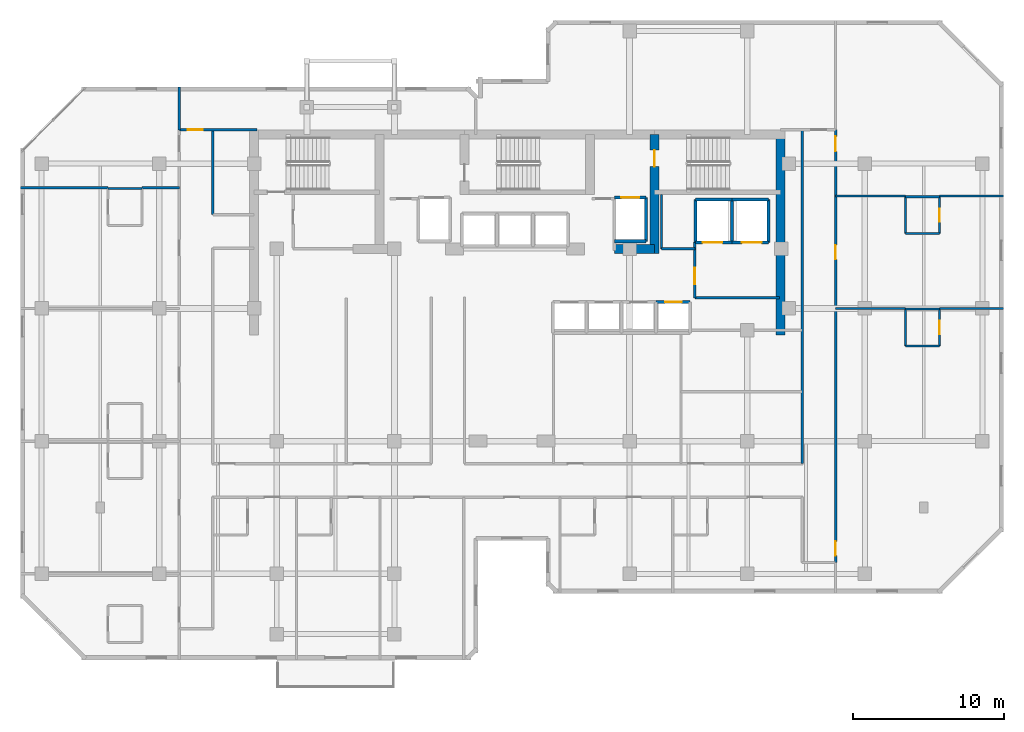
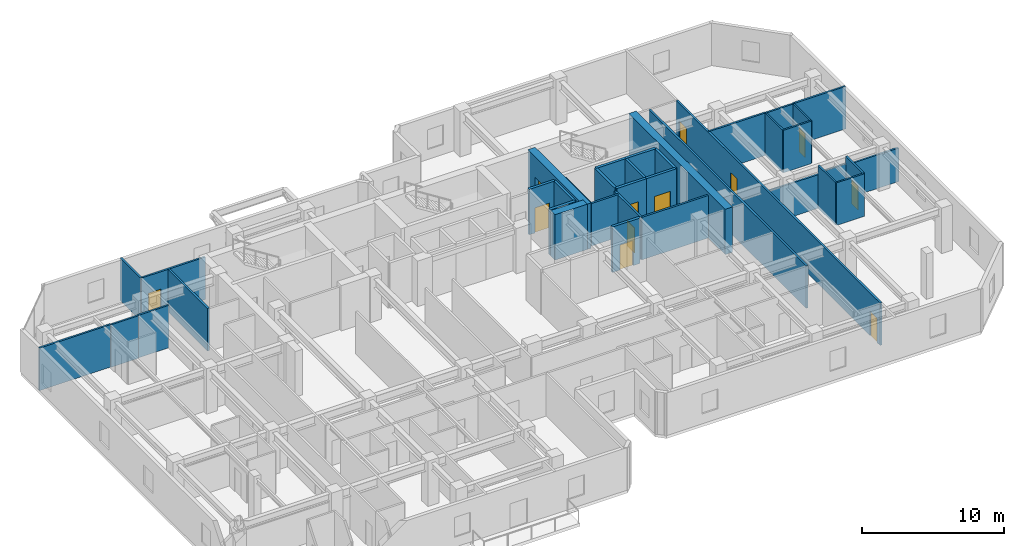
# One storey, part 7 of 11: 38 walls, 12 doors, 12 openings.
"""IFC4 building model written with IfcOpenShell, lengths in metres."""

from ifc_helpers import new_model, si_unit, direction, frame, frame_2d, origin, place, context, subcontext, project, spatial, rectangle, extrude, material, layer, layer_set, type_object, element, fill, save


model = new_model("IFC4")

# Units and contexts
model_context = context("Model", 3, precision=1e-05, world=origin(), true_north=direction((0.0, 1.0)))
body_context = subcontext(model_context, "Body", "Model", "MODEL_VIEW")
ifc_project = project(units=[si_unit("LENGTHUNIT", "METRE"), si_unit("AREAUNIT", "SQUARE_METRE"), si_unit("VOLUMEUNIT", "CUBIC_METRE"), si_unit("PLANEANGLEUNIT", "RADIAN"), si_unit("MASSUNIT", "GRAM", prefix="KILO")], contexts=[model_context])

# Site, building, storey
site_placement = place(None, origin())
site = spatial("IfcSite", under=ifc_project, at=site_placement, CompositionType="ELEMENT")
building_placement = place(site_placement, origin())
building = spatial("IfcBuilding", under=site, at=building_placement, Name="Kestravale Grand Hotel", CompositionType="ELEMENT")
storey_placement = place(building_placement, frame((0.0, 0.0, 208.5)))
storey = spatial("IfcBuildingStorey", under=building, at=storey_placement, Name="L52", CompositionType="ELEMENT", Elevation=208.5)

# Walls
ifc_material_1 = material(Name="Concrete f'c 50 MPa", Category="concrete")
ifc_layer_1 = layer(ifc_material_1, 0.60009765625)
ifc_layer_set_1 = layer_set([ifc_layer_1], Name="EW-CORE-600")
wall_type_1 = type_object("IfcWallType", Name="EW-CORE-600", PredefinedType="SHEAR", material=ifc_layer_set_1)
wall_1_placement = place(storey_placement, frame((56.820068359375, 27.050048828125, 0.0), z_axis=(0.0, 0.0, 1.0), x_axis=(0.0, 1.0, 0.0)))
element("IfcWall", 1, at=wall_1_placement, inside=storey, type_object=wall_type_1, Name="L52 core shear wall E1", PredefinedType="SHEAR", context=body_context, shape_type="SweptSolid", body=[
    extrude(rectangle(XDim=13.570068359375, YDim=0.60009765625, at=frame_2d((6.78515625, 0.0))), origin(), (0.0, 0.0, 1.0), 3.89990234375),
])
wall_2_placement = place(storey_placement, frame((45.81005859375, 32.75, 0.0), z_axis=(0.0, 0.0, 1.0), x_axis=(1.0, 0.0, 0.0)))
element("IfcWall", 2, at=wall_2_placement, inside=storey, type_object=wall_type_1, Name="L52 core shear wall S2", PredefinedType="SHEAR", context=body_context, shape_type="SweptSolid", body=[
    extrude(rectangle(XDim=2.639892578125, YDim=0.60009765625, at=frame_2d((1.31982421875, 0.0))), origin(), (0.0, 0.0, 1.0), 3.89990234375),
])

# Wall, opening, door
wall_3_placement = place(storey_placement, frame((48.449951171875, 32.449951171875, 0.0), z_axis=(0.0, 0.0, 1.0), x_axis=(0.0, 1.0, 0.0)))
wall_3 = element("IfcWall", 3, at=wall_3_placement, inside=storey, type_object=wall_type_1, Name="L52 core shear wall X4", PredefinedType="SHEAR", context=body_context, shape_type="SweptSolid", body=[
    extrude(rectangle(XDim=7.8701171875, YDim=0.60009765625, at=frame_2d((3.93505859375, 0.0))), origin(), (0.0, 0.0, 1.0), 3.89990234375),
])
opening_1_placement = place(wall_3_placement, frame((5.75, 0.0, 0.0)))
opening_1 = element("IfcOpeningElement", 4, at=opening_1_placement, cuts=wall_3, Name="Opening D-ST-1100", PredefinedType="OPENING", context=body_context, shape_type="SweptSolid", body=[
    extrude(rectangle(XDim=1.10009765625, YDim=2.14990234375, at=frame_2d((0.550048828125, 1.074951171875))), frame((0.0, 0.31005859375, 0.0), z_axis=(0.0, -1.0, 0.0), x_axis=(1.0, 0.0, 0.0)), (0.0, 0.0, 1.0), 0.6201171875),
])
ifc_material_2 = material(Name="Galvanised 90-minute fire-rated steel stair door", Category="steel")
door_type_1 = type_object("IfcDoorType", Name="D-ST-1100", OperationType="NOTDEFINED", PredefinedType="DOOR", material=ifc_material_2)
door_1_placement = place(opening_1_placement, origin())
door_1 = element("IfcDoor", 5, at=door_1_placement, inside=storey, type_object=door_type_1, Name="L52 Stair ST-3 FSAE fire door", OperationType="SINGLE_SWING_RIGHT", OverallHeight=2.14990234375, OverallWidth=1.10009765625, PredefinedType="DOOR", context=body_context, shape_type="SweptSolid", body=[
    extrude(rectangle(XDim=1.10009765625, YDim=2.14990234375, at=frame_2d((0.550048828125, 1.074951171875))), frame((0.0, 0.02490234375, 0.0), z_axis=(0.0, -1.0, 0.0), x_axis=(1.0, 0.0, 0.0)), (0.0, 0.0, 1.0), 0.050048828125),
])
fill(opening_1, door_1)

ifc_material_3 = material(Name="Acoustic fire-rated gypsum board partition", Category="other")
ifc_layer_2 = layer(ifc_material_3, 0.159912109375)
ifc_layer_set_2 = layer_set([ifc_layer_2], Name="IW-CORR-160")
wall_type_2 = type_object("IfcWallType", Name="IW-CORR-160", PredefinedType="PARTITIONING", material=ifc_layer_set_2)
wall_4_placement = place(storey_placement, frame((51.1201171875, 29.5, 0.0), z_axis=(0.0, 0.0, 1.0), x_axis=(0.0, 1.0, 0.0)))
wall_4 = element("IfcWall", 6, at=wall_4_placement, inside=storey, type_object=wall_type_2, Name="W-L52-SVCLOB-W", PredefinedType="PARTITIONING", context=body_context, shape_type="SweptSolid", body=[
    extrude(rectangle(XDim=3.699951171875, YDim=0.159912109375, at=frame_2d((1.85009765625, 0.0))), origin(), (0.0, 0.0, 1.0), 3.64990234375),
])
opening_2_placement = place(wall_4_placement, frame((0.89990234375, 0.0, 0.0)))
opening_2 = element("IfcOpeningElement", 7, at=opening_2_placement, cuts=wall_4, Name="Opening D-CORR-1100", PredefinedType="OPENING", context=body_context, shape_type="SweptSolid", body=[
    extrude(rectangle(XDim=1.10009765625, YDim=2.14990234375, at=frame_2d((0.550048828125, 1.074951171875))), frame((0.0, 0.08984375, 0.0), z_axis=(0.0, -1.0, 0.0), x_axis=(1.0, 0.0, 0.0)), (0.0, 0.0, 1.0), 0.179931640625),
])
ifc_material_4 = material(Name="Single-leaf service vestibule fire door", Category="steel")
door_type_2 = type_object("IfcDoorType", Name="D-CORR-1100", OperationType="NOTDEFINED", PredefinedType="DOOR", material=ifc_material_4)
door_2_placement = place(opening_2_placement, origin())
door_2 = element("IfcDoor", 8, at=door_2_placement, inside=storey, type_object=door_type_2, Name="L52 service lift lobby door", OperationType="SINGLE_SWING_LEFT", OverallHeight=2.14990234375, OverallWidth=1.10009765625, PredefinedType="DOOR", context=body_context, shape_type="SweptSolid", body=[
    extrude(rectangle(XDim=1.10009765625, YDim=2.14990234375, at=frame_2d((0.550048828125, 1.074951171875))), frame((0.0, 0.02490234375, 0.0), z_axis=(0.0, -1.0, 0.0), x_axis=(1.0, 0.0, 0.0)), (0.0, 0.0, 1.0), 0.050048828125),
])
fill(opening_2, door_2)

# Walls
wall_5_placement = place(storey_placement, frame((51.1201171875, 29.5, 0.0), z_axis=(0.0, 0.0, 1.0), x_axis=(1.0, 0.0, 0.0)))
element("IfcWall", 9, at=wall_5_placement, inside=storey, type_object=wall_type_2, Name="L52 service lift lobby wall", PredefinedType="PARTITIONING", context=body_context, shape_type="SweptSolid", body=[
    extrude(rectangle(XDim=5.6298828125, YDim=0.159912109375, at=frame_2d((2.81494140625, 0.0))), origin(), (0.0, 0.0, 1.0), 3.64990234375),
])
wall_6_placement = place(storey_placement, frame((48.919921875, 32.75, 0.0), z_axis=(0.0, 0.0, 1.0), x_axis=(1.0, 0.0, 0.0)))
element("IfcWall", 10, at=wall_6_placement, inside=storey, type_object=wall_type_2, Name="W-L52-CES", PredefinedType="PARTITIONING", context=body_context, shape_type="SweptSolid", body=[
    extrude(rectangle(XDim=2.2001953125, YDim=0.159912109375, at=frame_2d((1.10009765625, 0.0))), origin(), (0.0, 0.0, 1.0), 3.64990234375),
])
wall_7_placement = place(storey_placement, frame((19.159912109375, 35.02001953125, 0.0), z_axis=(0.0, 0.0, 1.0), x_axis=(0.0, 1.0, 0.0)))
element("IfcWall", 11, at=wall_7_placement, inside=storey, type_object=wall_type_2, Name="W-L52-SW-EN", PredefinedType="PARTITIONING", context=body_context, shape_type="SweptSolid", body=[
    extrude(rectangle(XDim=5.6298828125, YDim=0.159912109375, at=frame_2d((2.81494140625, 0.0))), origin(), (0.0, 0.0, 1.0), 3.64990234375),
])

# Wall, openings, doors
wall_8_placement = place(storey_placement, frame((60.4599609375, 11.949951171875, 0.0), z_axis=(0.0, 0.0, 1.0), x_axis=(0.0, 1.0, 0.0)))
wall_8 = element("IfcWall", 12, at=wall_8_placement, inside=storey, type_object=wall_type_2, Name="W-L52-SE-E", PredefinedType="PARTITIONING", context=body_context, shape_type="SweptSolid", body=[
    extrude(rectangle(XDim=28.699951171875, YDim=0.159912109375, at=frame_2d((14.35009765625, 0.0))), origin(), (0.0, 0.0, 1.0), 3.64990234375),
])
opening_3_placement = place(wall_8_placement, frame((0.4599609375, 0.0, 0.0)))
opening_3 = element("IfcOpeningElement", 13, at=opening_3_placement, cuts=wall_8, Name="Opening D-GUEST-950", PredefinedType="OPENING", context=body_context, shape_type="SweptSolid", body=[
    extrude(rectangle(XDim=0.949951171875, YDim=2.10009765625, at=frame_2d((0.47509765625, 1.050048828125))), frame((0.0, 0.08984375, 0.0), z_axis=(0.0, -1.0, 0.0), x_axis=(1.0, 0.0, 0.0)), (0.0, 0.0, 1.0), 0.179931640625),
])
opening_4_placement = place(wall_8_placement, frame((20.10009765625, 0.0, 0.0)))
opening_4 = element("IfcOpeningElement", 14, at=opening_4_placement, cuts=wall_8, Name="Opening D-GUEST-950", PredefinedType="OPENING", context=body_context, shape_type="SweptSolid", body=[
    extrude(rectangle(XDim=0.949951171875, YDim=2.10009765625, at=frame_2d((0.47509765625, 1.050048828125))), frame((0.0, 0.08984375, 0.0), z_axis=(0.0, -1.0, 0.0), x_axis=(1.0, 0.0, 0.0)), (0.0, 0.0, 1.0), 0.179931640625),
])
opening_5_placement = place(wall_8_placement, frame((27.260009765625, 0.0, 0.0)))
opening_5 = element("IfcOpeningElement", 15, at=opening_5_placement, cuts=wall_8, Name="Opening D-GUEST-1000", PredefinedType="OPENING", context=body_context, shape_type="SweptSolid", body=[
    extrude(rectangle(XDim=1.0, YDim=2.14990234375, at=frame_2d((0.5, 1.074951171875))), frame((0.0, 0.08984375, 0.0), z_axis=(0.0, -1.0, 0.0), x_axis=(1.0, 0.0, 0.0)), (0.0, 0.0, 1.0), 0.179931640625),
])
ifc_material_5 = material(Name="Accessible walnut veneer hotel entrance fire door", Category="wood")
door_type_3 = type_object("IfcDoorType", Name="D-GUEST-1000", OperationType="NOTDEFINED", PredefinedType="DOOR", material=ifc_material_5)
door_3_placement = place(opening_5_placement, origin())
door_3 = element("IfcDoor", 16, at=door_3_placement, inside=storey, type_object=door_type_3, Name="D-L52-AMEW", OperationType="SINGLE_SWING_LEFT", OverallHeight=2.14990234375, OverallWidth=1.0, PredefinedType="DOOR", context=body_context, shape_type="SweptSolid", body=[
    extrude(rectangle(XDim=1.0, YDim=2.14990234375, at=frame_2d((0.5, 1.074951171875))), frame((0.0, 0.02490234375, 0.0), z_axis=(0.0, -1.0, 0.0), x_axis=(1.0, 0.0, 0.0)), (0.0, 0.0, 1.0), 0.050048828125),
])
fill(opening_5, door_3)
ifc_material_6 = material(Name="Walnut veneer hotel guestroom entrance fire door", Category="wood")
door_type_4 = type_object("IfcDoorType", Name="D-GUEST-950", OperationType="NOTDEFINED", PredefinedType="DOOR", material=ifc_material_6)
door_4_placement = place(opening_3_placement, origin())
door_4 = element("IfcDoor", 17, at=door_4_placement, inside=storey, type_object=door_type_4, Name="D-L52-U09-ENT", OperationType="SINGLE_SWING_RIGHT", OverallHeight=2.10009765625, OverallWidth=0.949951171875, PredefinedType="DOOR", context=body_context, shape_type="SweptSolid", body=[
    extrude(rectangle(XDim=0.949951171875, YDim=2.10009765625, at=frame_2d((0.47509765625, 1.050048828125))), frame((0.0, 0.02490234375, 0.0), z_axis=(0.0, -1.0, 0.0), x_axis=(1.0, 0.0, 0.0)), (0.0, 0.0, 1.0), 0.050048828125),
])
fill(opening_3, door_4)
door_5_placement = place(opening_4_placement, origin())
door_5 = element("IfcDoor", 18, at=door_5_placement, inside=storey, type_object=door_type_4, Name="D-L52-U10-ENT", OperationType="SINGLE_SWING_RIGHT", OverallHeight=2.10009765625, OverallWidth=0.949951171875, PredefinedType="DOOR", context=body_context, shape_type="SweptSolid", body=[
    extrude(rectangle(XDim=0.949951171875, YDim=2.10009765625, at=frame_2d((0.47509765625, 1.050048828125))), frame((0.0, 0.02490234375, 0.0), z_axis=(0.0, -1.0, 0.0), x_axis=(1.0, 0.0, 0.0)), (0.0, 0.0, 1.0), 0.050048828125),
])
fill(opening_4, door_5)

# Walls
wall_9_placement = place(storey_placement, frame((58.239990234375, 18.510009765625, 0.0), z_axis=(0.0, 0.0, 1.0), x_axis=(0.0, 1.0, 0.0)))
element("IfcWall", 19, at=wall_9_placement, inside=storey, type_object=wall_type_2, Name="W-L52-SE-WU", PredefinedType="PARTITIONING", context=body_context, shape_type="SweptSolid", body=[
    extrude(rectangle(XDim=22.139892578125, YDim=0.159912109375, at=frame_2d((11.06982421875, 0.0))), origin(), (0.0, 0.0, 1.0), 3.64990234375),
])
ifc_material_7 = material(Name="Moisture-resistant tile-backer plumbing chase wall", Category="other")
ifc_layer_3 = layer(ifc_material_7, 0.139892578125)
ifc_layer_set_3 = layer_set([ifc_layer_3], Name="IW-PLB-140")
wall_type_3 = type_object("IfcWallType", Name="IW-PLB-140", PredefinedType="PLUMBINGWALL", material=ifc_layer_set_3)
wall_10_placement = place(storey_placement, frame((12.199951171875, 36.760009765625, 0.0), z_axis=(0.0, 0.0, 1.0), x_axis=(1.0, 0.0, 0.0)))
element("IfcWall", 20, at=wall_10_placement, inside=storey, type_object=wall_type_3, Name="W-L52-U08-BN", PredefinedType="PLUMBINGWALL", context=body_context, shape_type="SweptSolid", body=[
    extrude(rectangle(XDim=2.25, YDim=0.139892578125, at=frame_2d((1.125, 0.0))), origin(), (0.0, 0.0, 1.0), 3.64990234375),
])
wall_11_placement = place(storey_placement, frame((65.10009765625, 26.31005859375, 0.0), z_axis=(0.0, 0.0, 1.0), x_axis=(0.0, 1.0, 0.0)))
element("IfcWall", 21, at=wall_11_placement, inside=storey, type_object=wall_type_3, Name="W-L52-U09-BW", PredefinedType="PLUMBINGWALL", context=body_context, shape_type="SweptSolid", body=[
    extrude(rectangle(XDim=2.449951171875, YDim=0.139892578125, at=frame_2d((1.22509765625, 0.0))), origin(), (0.0, 0.0, 1.0), 3.64990234375),
])

# Wall, opening, door
wall_12_placement = place(storey_placement, frame((67.35009765625, 26.31005859375, 0.0), z_axis=(0.0, 0.0, 1.0), x_axis=(0.0, 1.0, 0.0)))
wall_12 = element("IfcWall", 22, at=wall_12_placement, inside=storey, type_object=wall_type_3, Name="W-L52-U09-BE", PredefinedType="PLUMBINGWALL", context=body_context, shape_type="SweptSolid", body=[
    extrude(rectangle(XDim=2.449951171875, YDim=0.139892578125, at=frame_2d((1.22509765625, 0.0))), origin(), (0.0, 0.0, 1.0), 3.64990234375),
])
opening_6_placement = place(wall_12_placement, frame((0.784912109375, 0.0, 0.0)))
opening_6 = element("IfcOpeningElement", 23, at=opening_6_placement, cuts=wall_12, Name="Opening D-BATH-880", PredefinedType="OPENING", context=body_context, shape_type="SweptSolid", body=[
    extrude(rectangle(XDim=0.8798828125, YDim=2.050048828125, at=frame_2d((0.43994140625, 1.02490234375))), frame((0.0, 0.079833984375, 0.0), z_axis=(0.0, -1.0, 0.0), x_axis=(1.0, 0.0, 0.0)), (0.0, 0.0, 1.0), 0.159912109375),
])
ifc_material_8 = material(Name="Moisture-sealed walnut en-suite bathroom door", Category="wood")
door_type_5 = type_object("IfcDoorType", Name="D-BATH-880", OperationType="NOTDEFINED", PredefinedType="DOOR", material=ifc_material_8)
door_6_placement = place(opening_6_placement, origin())
door_6 = element("IfcDoor", 24, at=door_6_placement, inside=storey, type_object=door_type_5, Name="D-L52-U09-BATH", OperationType="SINGLE_SWING_LEFT", OverallHeight=2.050048828125, OverallWidth=0.8798828125, PredefinedType="DOOR", context=body_context, shape_type="SweptSolid", body=[
    extrude(rectangle(XDim=0.8798828125, YDim=2.050048828125, at=frame_2d((0.43994140625, 1.02490234375))), frame((0.0, 0.02490234375, 0.0), z_axis=(0.0, -1.0, 0.0), x_axis=(1.0, 0.0, 0.0)), (0.0, 0.0, 1.0), 0.050048828125),
])
fill(opening_6, door_6)

# Walls
wall_13_placement = place(storey_placement, frame((65.10009765625, 26.31005859375, 0.0), z_axis=(0.0, 0.0, 1.0), x_axis=(1.0, 0.0, 0.0)))
element("IfcWall", 25, at=wall_13_placement, inside=storey, type_object=wall_type_3, Name="W-L52-U09-BS", PredefinedType="PLUMBINGWALL", context=body_context, shape_type="SweptSolid", body=[
    extrude(rectangle(XDim=2.25, YDim=0.139892578125, at=frame_2d((1.125, 0.0))), origin(), (0.0, 0.0, 1.0), 3.64990234375),
])
wall_14_placement = place(storey_placement, frame((65.10009765625, 28.760009765625, 0.0), z_axis=(0.0, 0.0, 1.0), x_axis=(1.0, 0.0, 0.0)))
element("IfcWall", 26, at=wall_14_placement, inside=storey, type_object=wall_type_3, Name="W-L52-U09-BN", PredefinedType="PLUMBINGWALL", context=body_context, shape_type="SweptSolid", body=[
    extrude(rectangle(XDim=2.25, YDim=0.139892578125, at=frame_2d((1.125, 0.0))), origin(), (0.0, 0.0, 1.0), 3.0380859375),
])
wall_15_placement = place(storey_placement, frame((65.10009765625, 33.760009765625, 0.0), z_axis=(0.0, 0.0, 1.0), x_axis=(0.0, 1.0, 0.0)))
element("IfcWall", 27, at=wall_15_placement, inside=storey, type_object=wall_type_3, Name="W-L52-U10-BW", PredefinedType="PLUMBINGWALL", context=body_context, shape_type="SweptSolid", body=[
    extrude(rectangle(XDim=2.449951171875, YDim=0.139892578125, at=frame_2d((1.22509765625, 0.0))), origin(), (0.0, 0.0, 1.0), 3.64990234375),
])

# Wall, opening, door
wall_16_placement = place(storey_placement, frame((67.35009765625, 33.760009765625, 0.0), z_axis=(0.0, 0.0, 1.0), x_axis=(0.0, 1.0, 0.0)))
wall_16 = element("IfcWall", 28, at=wall_16_placement, inside=storey, type_object=wall_type_3, Name="W-L52-U10-BE", PredefinedType="PLUMBINGWALL", context=body_context, shape_type="SweptSolid", body=[
    extrude(rectangle(XDim=2.449951171875, YDim=0.139892578125, at=frame_2d((1.22509765625, 0.0))), origin(), (0.0, 0.0, 1.0), 3.64990234375),
])
opening_7_placement = place(wall_16_placement, frame((0.784912109375, 0.0, 0.0)))
opening_7 = element("IfcOpeningElement", 29, at=opening_7_placement, cuts=wall_16, Name="Opening D-BATH-880", PredefinedType="OPENING", context=body_context, shape_type="SweptSolid", body=[
    extrude(rectangle(XDim=0.8798828125, YDim=2.050048828125, at=frame_2d((0.43994140625, 1.02490234375))), frame((0.0, 0.079833984375, 0.0), z_axis=(0.0, -1.0, 0.0), x_axis=(1.0, 0.0, 0.0)), (0.0, 0.0, 1.0), 0.159912109375),
])
door_7_placement = place(opening_7_placement, origin())
door_7 = element("IfcDoor", 30, at=door_7_placement, inside=storey, type_object=door_type_5, Name="D-L52-U10-BATH", OperationType="SINGLE_SWING_LEFT", OverallHeight=2.050048828125, OverallWidth=0.8798828125, PredefinedType="DOOR", context=body_context, shape_type="SweptSolid", body=[
    extrude(rectangle(XDim=0.8798828125, YDim=2.050048828125, at=frame_2d((0.43994140625, 1.02490234375))), frame((0.0, 0.02490234375, 0.0), z_axis=(0.0, -1.0, 0.0), x_axis=(1.0, 0.0, 0.0)), (0.0, 0.0, 1.0), 0.050048828125),
])
fill(opening_7, door_7)

# Walls
for number, where, z_axis, x_axis, name in (
    (31, (65.10009765625, 33.760009765625, 0.0), (0.0, 0.0, 1.0), (1.0, 0.0, 0.0), "W-L52-U10-BS"),
    (32, (65.10009765625, 36.2099609375, 0.0), (0.0, 0.0, 1.0), (1.0, 0.0, 0.0), "W-L52-U10-BN"),
):
    element("IfcWall", number, at=place(storey_placement, frame(where, z_axis=z_axis, x_axis=x_axis)), inside=storey, type_object=wall_type_3, Name=name, PredefinedType="PLUMBINGWALL", context=body_context, shape_type="SweptSolid", body=[
        extrude(rectangle(XDim=2.25, YDim=0.139892578125, at=frame_2d((1.125, 0.0))), origin(), (0.0, 0.0, 1.0), 3.64990234375),
    ])
ifc_material_9 = material(Name="Concrete f'c 45 MPa", Category="concrete")
ifc_layer_4 = layer(ifc_material_9, 0.199951171875)
ifc_layer_set_4 = layer_set([ifc_layer_4], Name="IW-SHAFT-200")
wall_type_4 = type_object("IfcWallType", Name="IW-SHAFT-200", PredefinedType="SHEAR", material=ifc_layer_set_4)
for number, where, z_axis, x_axis, name in (
    (33, (51.179931640625, 33.169921875, 0.0), (0.0, 0.0, 1.0), (0.0, 1.0, 0.0), "L52 SL-1 west shaft wall"),
    (34, (53.60009765625, 33.169921875, 0.0), (0.0, 0.0, 1.0), (0.0, 1.0, 0.0), "L52 SL-2 west shaft wall"),
    (35, (56.02001953125, 33.169921875, 0.0), (0.0, 0.0, 1.0), (0.0, 1.0, 0.0), "L52 SL-2 east shaft wall"),
):
    element("IfcWall", number, at=place(storey_placement, frame(where, z_axis=z_axis, x_axis=x_axis)), inside=storey, type_object=wall_type_4, Name=name, PredefinedType="SHEAR", context=body_context, shape_type="SweptSolid", body=[
        extrude(rectangle(XDim=2.860107421875, YDim=0.199951171875, at=frame_2d((1.43017578125, 0.0))), origin(), (0.0, 0.0, 1.0), 3.89990234375),
    ])
wall_17_placement = place(storey_placement, frame((47.89501953125, 33.2451171875, 0.0), z_axis=(0.0, 0.0, 1.0), x_axis=(0.0, 1.0, 0.0)))
element("IfcWall", 36, at=wall_17_placement, inside=storey, type_object=wall_type_4, Name="L52 FL-2 east shaft wall", PredefinedType="SHEAR", context=body_context, shape_type="SweptSolid", body=[
    extrude(rectangle(XDim=2.909912109375, YDim=0.199951171875, at=frame_2d((1.455078125, 0.0))), origin(), (0.0, 0.0, 1.0), 3.89990234375),
])

# Wall, opening, door
ifc_material_10 = material(Name="Concrete f'c 45 MPa", Category="concrete")
ifc_layer_5 = layer(ifc_material_10, 0.219970703125)
ifc_layer_set_5 = layer_set([ifc_layer_5], Name="IW-SHAFT-220")
wall_type_5 = type_object("IfcWallType", Name="IW-SHAFT-220", PredefinedType="SHEAR", material=ifc_layer_set_5)
wall_18_placement = place(storey_placement, frame((48.550048828125, 29.22998046875, 0.0), z_axis=(0.0, 0.0, 1.0), x_axis=(1.0, 0.0, 0.0)))
wall_18 = element("IfcWall", 37, at=wall_18_placement, inside=storey, type_object=wall_type_5, Name="L52 PL-M4 north shaft wall", PredefinedType="SHEAR", context=body_context, shape_type="SweptSolid", body=[
    extrude(rectangle(XDim=2.244873046875, YDim=0.219970703125, at=frame_2d((1.12255859375, 0.0))), origin(), (0.0, 0.0, 1.0), 3.89990234375),
])
opening_8_placement = place(wall_18_placement, frame((0.60009765625, 0.0, 0.0)))
opening_8 = element("IfcOpeningElement", 38, at=opening_8_placement, cuts=wall_18, Name="Opening LD-PAX-1100", PredefinedType="OPENING", context=body_context, shape_type="SweptSolid", body=[
    extrude(rectangle(XDim=1.10009765625, YDim=2.14990234375, at=frame_2d((0.550048828125, 1.074951171875))), frame((0.0, 0.119873046875, 0.0), z_axis=(0.0, -1.0, 0.0), x_axis=(1.0, 0.0, 0.0)), (0.0, 0.0, 1.0), 0.239990234375),
])
ifc_material_11 = material(Name="Champagne-bronze center-opening sliding elevator landing door", Category="steel")
door_type_6 = type_object("IfcDoorType", Name="LD-PAX-1100", OperationType="NOTDEFINED", PredefinedType="DOOR", material=ifc_material_11)
door_8_placement = place(opening_8_placement, origin())
door_8 = element("IfcDoor", 39, at=door_8_placement, inside=storey, type_object=door_type_6, Name="L52 PL-M4 elevator landing sliding door", OperationType="DOUBLE_DOOR_SLIDING", OverallHeight=2.14990234375, OverallWidth=1.10009765625, PredefinedType="DOOR", context=body_context, shape_type="SweptSolid", body=[
    extrude(rectangle(XDim=1.10009765625, YDim=2.14990234375, at=frame_2d((0.550048828125, 1.074951171875))), frame((0.0, 0.02490234375, 0.0), z_axis=(0.0, -1.0, 0.0), x_axis=(1.0, 0.0, 0.0)), (0.0, 0.0, 1.0), 0.050048828125),
])
fill(opening_8, door_8)

# Wall
wall_19_placement = place(storey_placement, frame((51.179931640625, 36.030029296875, 0.0), z_axis=(0.0, 0.0, 1.0), x_axis=(1.0, 0.0, 0.0)))
element("IfcWall", 40, at=wall_19_placement, inside=storey, type_object=wall_type_5, Name="L52 SL-1 north shaft wall", PredefinedType="SHEAR", context=body_context, shape_type="SweptSolid", body=[
    extrude(rectangle(XDim=2.420166015625, YDim=0.219970703125, at=frame_2d((1.2099609375, 0.0))), origin(), (0.0, 0.0, 1.0), 3.89990234375),
])

# Wall, opening, door
wall_20_placement = place(storey_placement, frame((51.179931640625, 33.169921875, 0.0), z_axis=(0.0, 0.0, 1.0), x_axis=(1.0, 0.0, 0.0)))
wall_20 = element("IfcWall", 41, at=wall_20_placement, inside=storey, type_object=wall_type_5, Name="L52 SL-1 south shaft wall", PredefinedType="SHEAR", context=body_context, shape_type="SweptSolid", body=[
    extrude(rectangle(XDim=2.420166015625, YDim=0.219970703125, at=frame_2d((1.2099609375, 0.0))), origin(), (0.0, 0.0, 1.0), 3.89990234375),
])
opening_9_placement = place(wall_20_placement, frame((0.469970703125, 0.0, 0.0)))
opening_9 = element("IfcOpeningElement", 42, at=opening_9_placement, cuts=wall_20, Name="Opening LD-SVC-1300", PredefinedType="OPENING", context=body_context, shape_type="SweptSolid", body=[
    extrude(rectangle(XDim=1.300048828125, YDim=2.14990234375, at=frame_2d((0.64990234375, 1.074951171875))), frame((0.0, 0.119873046875, 0.0), z_axis=(0.0, -1.0, 0.0), x_axis=(1.0, 0.0, 0.0)), (0.0, 0.0, 1.0), 0.239990234375),
])
ifc_material_12 = material(Name="Heavy-duty service sliding elevator landing door", Category="steel")
door_type_7 = type_object("IfcDoorType", Name="LD-SVC-1300", OperationType="NOTDEFINED", PredefinedType="DOOR", material=ifc_material_12)
door_9_placement = place(opening_9_placement, origin())
door_9 = element("IfcDoor", 43, at=door_9_placement, inside=storey, type_object=door_type_7, Name="L52 SL-1 elevator landing sliding door", OperationType="DOUBLE_DOOR_SLIDING", OverallHeight=2.14990234375, OverallWidth=1.300048828125, PredefinedType="DOOR", context=body_context, shape_type="SweptSolid", body=[
    extrude(rectangle(XDim=1.300048828125, YDim=2.14990234375, at=frame_2d((0.64990234375, 1.074951171875))), frame((0.0, 0.02490234375, 0.0), z_axis=(0.0, -1.0, 0.0), x_axis=(1.0, 0.0, 0.0)), (0.0, 0.0, 1.0), 0.050048828125),
])
fill(opening_9, door_9)

# Wall
wall_21_placement = place(storey_placement, frame((53.60009765625, 36.030029296875, 0.0), z_axis=(0.0, 0.0, 1.0), x_axis=(1.0, 0.0, 0.0)))
element("IfcWall", 44, at=wall_21_placement, inside=storey, type_object=wall_type_5, Name="L52 SL-2 north shaft wall", PredefinedType="SHEAR", context=body_context, shape_type="SweptSolid", body=[
    extrude(rectangle(XDim=2.419921875, YDim=0.219970703125, at=frame_2d((1.2099609375, 0.0))), origin(), (0.0, 0.0, 1.0), 3.89990234375),
])

# Wall, opening, door
wall_22_placement = place(storey_placement, frame((53.60009765625, 33.169921875, 0.0), z_axis=(0.0, 0.0, 1.0), x_axis=(1.0, 0.0, 0.0)))
wall_22 = element("IfcWall", 45, at=wall_22_placement, inside=storey, type_object=wall_type_5, Name="L52 SL-2 south shaft wall", PredefinedType="SHEAR", context=body_context, shape_type="SweptSolid", body=[
    extrude(rectangle(XDim=2.419921875, YDim=0.219970703125, at=frame_2d((1.2099609375, 0.0))), origin(), (0.0, 0.0, 1.0), 3.89990234375),
])
opening_10_placement = place(wall_22_placement, frame((0.64990234375, 0.0, 0.0)))
opening_10 = element("IfcOpeningElement", 46, at=opening_10_placement, cuts=wall_22, Name="Opening LD-SVC-1300", PredefinedType="OPENING", context=body_context, shape_type="SweptSolid", body=[
    extrude(rectangle(XDim=1.300048828125, YDim=2.14990234375, at=frame_2d((0.64990234375, 1.074951171875))), frame((0.0, 0.119873046875, 0.0), z_axis=(0.0, -1.0, 0.0), x_axis=(1.0, 0.0, 0.0)), (0.0, 0.0, 1.0), 0.239990234375),
])
door_10_placement = place(opening_10_placement, origin())
door_10 = element("IfcDoor", 47, at=door_10_placement, inside=storey, type_object=door_type_7, Name="L52 SL-2 elevator landing sliding door", OperationType="DOUBLE_DOOR_SLIDING", OverallHeight=2.14990234375, OverallWidth=1.300048828125, PredefinedType="DOOR", context=body_context, shape_type="SweptSolid", body=[
    extrude(rectangle(XDim=1.300048828125, YDim=2.14990234375, at=frame_2d((0.64990234375, 1.074951171875))), frame((0.0, 0.02490234375, 0.0), z_axis=(0.0, -1.0, 0.0), x_axis=(1.0, 0.0, 0.0)), (0.0, 0.0, 1.0), 0.050048828125),
])
fill(opening_10, door_10)

wall_23_placement = place(storey_placement, frame((45.804931640625, 36.155029296875, 0.0), z_axis=(0.0, 0.0, 1.0), x_axis=(1.0, 0.0, 0.0)))
wall_23 = element("IfcWall", 48, at=wall_23_placement, inside=storey, type_object=wall_type_5, Name="L52 FL-2 north shaft wall", PredefinedType="SHEAR", context=body_context, shape_type="SweptSolid", body=[
    extrude(rectangle(XDim=2.090087890625, YDim=0.219970703125, at=frame_2d((1.044921875, 0.0))), origin(), (0.0, 0.0, 1.0), 3.89990234375),
])
opening_11_placement = place(wall_23_placement, frame((0.445068359375, 0.0, 0.0)))
opening_11 = element("IfcOpeningElement", 49, at=opening_11_placement, cuts=wall_23, Name="Opening LD-FSAE-1200", PredefinedType="OPENING", context=body_context, shape_type="SweptSolid", body=[
    extrude(rectangle(XDim=1.199951171875, YDim=2.14990234375, at=frame_2d((0.60009765625, 1.074951171875))), frame((0.0, 0.119873046875, 0.0), z_axis=(0.0, -1.0, 0.0), x_axis=(1.0, 0.0, 0.0)), (0.0, 0.0, 1.0), 0.239990234375),
])
ifc_material_13 = material(Name="Stainless fire-service sliding elevator landing door", Category="steel")
door_type_8 = type_object("IfcDoorType", Name="LD-FSAE-1200", OperationType="NOTDEFINED", PredefinedType="DOOR", material=ifc_material_13)
door_11_placement = place(opening_11_placement, origin())
door_11 = element("IfcDoor", 50, at=door_11_placement, inside=storey, type_object=door_type_8, Name="L52 FL-2 elevator landing sliding door", OperationType="DOUBLE_DOOR_SLIDING", OverallHeight=2.14990234375, OverallWidth=1.199951171875, PredefinedType="DOOR", context=body_context, shape_type="SweptSolid", body=[
    extrude(rectangle(XDim=1.199951171875, YDim=2.14990234375, at=frame_2d((0.60009765625, 1.074951171875))), frame((0.0, 0.02490234375, 0.0), z_axis=(0.0, -1.0, 0.0), x_axis=(1.0, 0.0, 0.0)), (0.0, 0.0, 1.0), 0.050048828125),
])
fill(opening_11, door_11)

# Walls
wall_24_placement = place(storey_placement, frame((45.804931640625, 33.2451171875, 0.0), z_axis=(0.0, 0.0, 1.0), x_axis=(1.0, 0.0, 0.0)))
element("IfcWall", 51, at=wall_24_placement, inside=storey, type_object=wall_type_5, Name="L52 FL-2 south shaft wall", PredefinedType="SHEAR", context=body_context, shape_type="SweptSolid", body=[
    extrude(rectangle(XDim=2.090087890625, YDim=0.219970703125, at=frame_2d((1.044921875, 0.0))), origin(), (0.0, 0.0, 1.0), 3.89990234375),
])
ifc_material_14 = material(Name="Double-stud STC 52 acoustic demising partition", Category="other")
ifc_layer_6 = layer(ifc_material_14, 0.14990234375)
ifc_layer_set_6 = layer_set([ifc_layer_6], Name="IW-UNIT-150")
wall_type_6 = type_object("IfcWallType", Name="IW-UNIT-150", PredefinedType="PARTITIONING", material=ifc_layer_set_6)
wall_25_placement = place(storey_placement, frame((48.919921875, 32.75, 0.0), z_axis=(0.0, 0.0, 1.0), x_axis=(0.0, 1.0, 0.0)))
element("IfcWall", 52, at=wall_25_placement, inside=storey, type_object=wall_type_6, Name="W-L52-CEW", PredefinedType="PARTITIONING", context=body_context, shape_type="SweptSolid", body=[
    extrude(rectangle(XDim=3.6201171875, YDim=0.14990234375, at=frame_2d((1.81005859375, 0.0))), origin(), (0.0, 0.0, 1.0), 3.64990234375),
])

# Wall, opening, door
wall_26_placement = place(storey_placement, frame((16.93994140625, 40.64990234375, 0.0), z_axis=(0.0, 0.0, 1.0), x_axis=(1.0, 0.0, 0.0)))
wall_26 = element("IfcWall", 53, at=wall_26_placement, inside=storey, type_object=wall_type_6, Name="W-L52-SW-N", PredefinedType="PARTITIONING", context=body_context, shape_type="SweptSolid", body=[
    extrude(rectangle(XDim=5.16015625, YDim=0.14990234375, at=frame_2d((2.580078125, 0.0))), origin(), (0.0, 0.0, 1.0), 3.64990234375),
])
opening_12_placement = place(wall_26_placement, frame((0.550048828125, 0.0, 0.0)))
opening_12 = element("IfcOpeningElement", 54, at=opening_12_placement, cuts=wall_26, Name="Opening D-GUEST-1000", PredefinedType="OPENING", context=body_context, shape_type="SweptSolid", body=[
    extrude(rectangle(XDim=1.0, YDim=2.14990234375, at=frame_2d((0.5, 1.074951171875))), frame((0.0, 0.0849609375, 0.0), z_axis=(0.0, -1.0, 0.0), x_axis=(1.0, 0.0, 0.0)), (0.0, 0.0, 1.0), 0.169921875),
])
door_12_placement = place(opening_12_placement, origin())
door_12 = element("IfcDoor", 55, at=door_12_placement, inside=storey, type_object=door_type_3, Name="L52 NW Gallery Door", OperationType="SINGLE_SWING_RIGHT", OverallHeight=2.14990234375, OverallWidth=1.0, PredefinedType="DOOR", context=body_context, shape_type="SweptSolid", body=[
    extrude(rectangle(XDim=1.0, YDim=2.14990234375, at=frame_2d((0.5, 1.074951171875))), frame((0.0, 0.02490234375, 0.0), z_axis=(0.0, -1.0, 0.0), x_axis=(1.0, 0.0, 0.0)), (0.0, 0.0, 1.0), 0.050048828125),
])
fill(opening_12, door_12)

# Walls
wall_27_placement = place(storey_placement, frame((16.93994140625, 40.64990234375, 0.0), z_axis=(0.0, 0.0, 1.0), x_axis=(0.0, 1.0, 0.0)))
element("IfcWall", 56, at=wall_27_placement, inside=storey, type_object=wall_type_6, Name="W-L52-NGW-W", PredefinedType="PARTITIONING", context=body_context, shape_type="SweptSolid", body=[
    extrude(rectangle(XDim=2.830078125, YDim=0.14990234375, at=frame_2d((1.4150390625, 0.0))), origin(), (0.0, 0.0, 1.0), 3.64990234375),
])
wall_28_placement = place(storey_placement, frame((6.419921875, 36.800048828125, 0.0), z_axis=(0.0, 0.0, 1.0), x_axis=(1.0, 0.0, 0.0)))
element("IfcWall", 57, at=wall_28_placement, inside=storey, type_object=wall_type_6, Name="W-L52-WW-4", PredefinedType="PARTITIONING", context=body_context, shape_type="SweptSolid", body=[
    extrude(rectangle(XDim=5.780029296875, YDim=0.14990234375, at=frame_2d((2.89013671875, 0.0))), origin(), (0.0, 0.0, 1.0), 3.64990234375),
])
wall_29_placement = place(storey_placement, frame((14.449951171875, 36.800048828125, 0.0), z_axis=(0.0, 0.0, 1.0), x_axis=(1.0, 0.0, 0.0)))
element("IfcWall", 58, at=wall_29_placement, inside=storey, type_object=wall_type_6, Name="W-L52-WW-4", PredefinedType="PARTITIONING", context=body_context, shape_type="SweptSolid", body=[
    extrude(rectangle(XDim=2.489990234375, YDim=0.14990234375, at=frame_2d((1.2451171875, 0.0))), origin(), (0.0, 0.0, 1.0), 3.64990234375),
])
wall_30_placement = place(storey_placement, frame((60.4599609375, 28.800048828125, 0.0), z_axis=(0.0, 0.0, 1.0), x_axis=(1.0, 0.0, 0.0)))
element("IfcWall", 59, at=wall_30_placement, inside=storey, type_object=wall_type_6, Name="W-L52-EW-1", PredefinedType="PARTITIONING", context=body_context, shape_type="SweptSolid", body=[
    extrude(rectangle(XDim=4.64013671875, YDim=0.14990234375, at=frame_2d((2.320068359375, 0.0))), origin(), (0.0, 0.0, 1.0), 2.8779296875),
])
wall_31_placement = place(storey_placement, frame((67.35009765625, 28.800048828125, 0.0), z_axis=(0.0, 0.0, 1.0), x_axis=(1.0, 0.0, 0.0)))
element("IfcWall", 60, at=wall_31_placement, inside=storey, type_object=wall_type_6, Name="W-L52-EW-1", PredefinedType="PARTITIONING", context=body_context, shape_type="SweptSolid", body=[
    extrude(rectangle(XDim=4.22998046875, YDim=0.14990234375, at=frame_2d((2.114990234375, 0.0))), origin(), (0.0, 0.0, 1.0), 2.8779296875),
])
wall_32_placement = place(storey_placement, frame((60.4599609375, 36.25, 0.0), z_axis=(0.0, 0.0, 1.0), x_axis=(1.0, 0.0, 0.0)))
element("IfcWall", 61, at=wall_32_placement, inside=storey, type_object=wall_type_6, Name="W-L52-EW-2", PredefinedType="PARTITIONING", context=body_context, shape_type="SweptSolid", body=[
    extrude(rectangle(XDim=4.64013671875, YDim=0.14990234375, at=frame_2d((2.320068359375, 0.0))), origin(), (0.0, 0.0, 1.0), 3.64990234375),
])
wall_33_placement = place(storey_placement, frame((67.35009765625, 36.25, 0.0), z_axis=(0.0, 0.0, 1.0), x_axis=(1.0, 0.0, 0.0)))
element("IfcWall", 62, at=wall_33_placement, inside=storey, type_object=wall_type_6, Name="W-L52-EW-2", PredefinedType="PARTITIONING", context=body_context, shape_type="SweptSolid", body=[
    extrude(rectangle(XDim=4.22998046875, YDim=0.14990234375, at=frame_2d((2.114990234375, 0.0))), origin(), (0.0, 0.0, 1.0), 3.64990234375),
])

save(model, "model.ifc")
